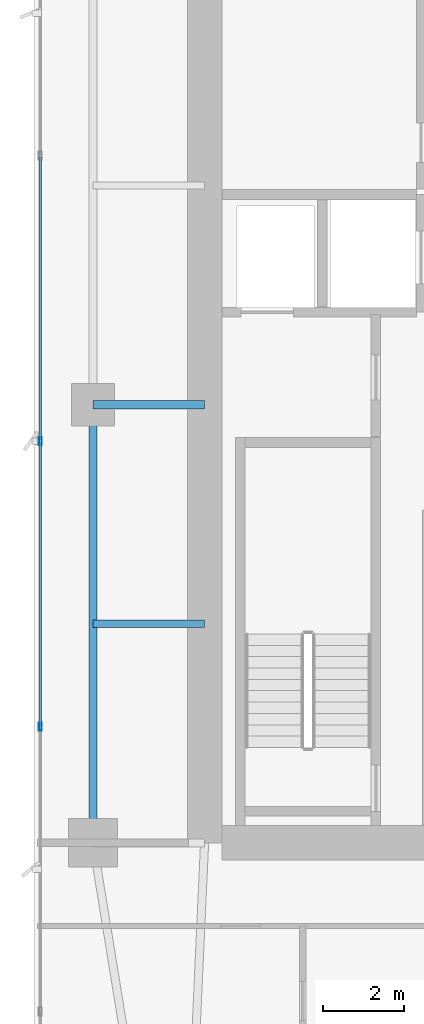
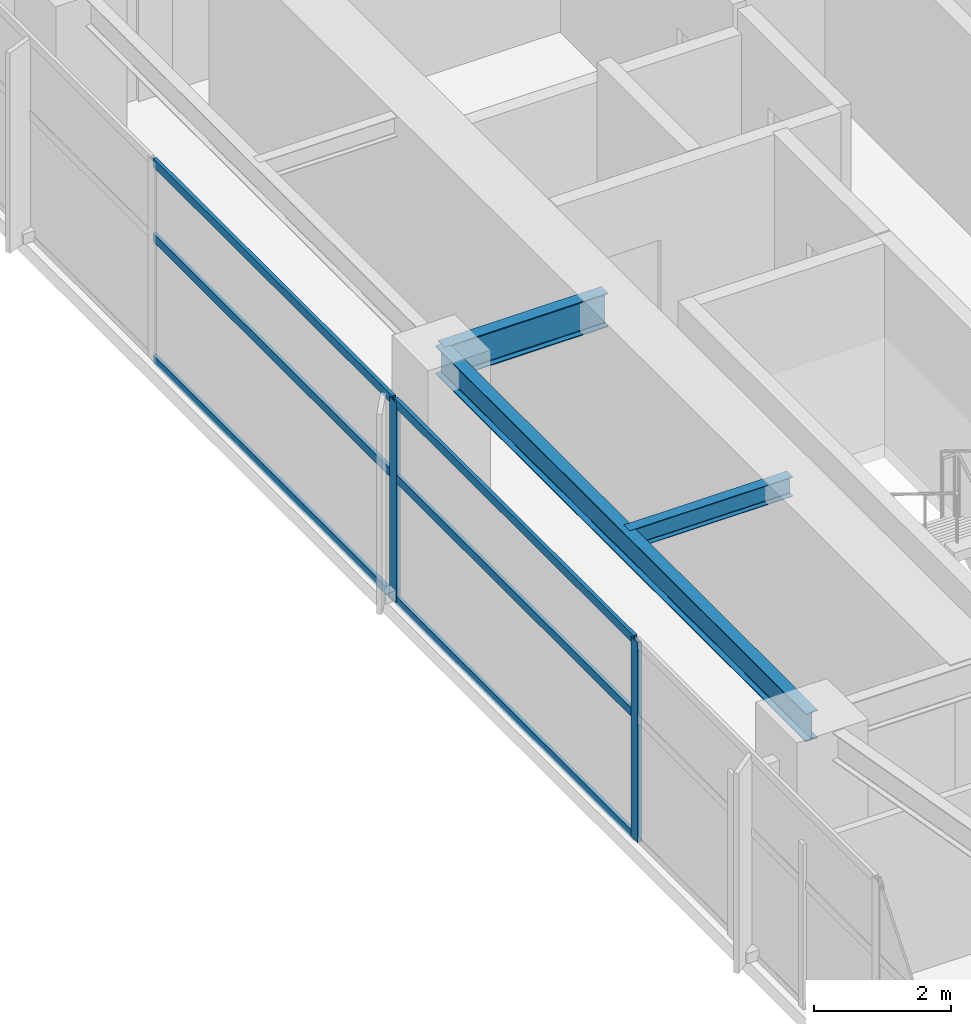
# One storey, part 8 of 29: 8 members, 3 beams, 1 element without a shape of its own.
"""IFC4 building model written with IfcOpenShell, lengths in metres."""

from ifc_helpers import new_model, si_unit, direction, frame, origin, origin_2d, place, context, subcontext, project, spatial, hollow_rectangle, i_section, extrude, material, layer, layer_set, material_profile, profile_set, type_object, element, aggregate, save


model = new_model("IFC4")

# Units and contexts
model_context = context("Model", 3, precision=1e-05, world=origin(), true_north=direction((0.0, 1.0)))
body_context = subcontext(model_context, "Body", "Model", "MODEL_VIEW")
ifc_project = project(units=[si_unit("LENGTHUNIT", "METRE"), si_unit("AREAUNIT", "SQUARE_METRE"), si_unit("VOLUMEUNIT", "CUBIC_METRE"), si_unit("PLANEANGLEUNIT", "RADIAN"), si_unit("MASSUNIT", "GRAM", prefix="KILO")], contexts=[model_context])

# Site, building, storey
site_placement = place(None, origin())
site = spatial("IfcSite", under=ifc_project, at=site_placement, CompositionType="ELEMENT")
building_placement = place(site_placement, origin())
building = spatial("IfcBuilding", under=site, at=building_placement, Name="Calvorn Quay Hotel", CompositionType="ELEMENT")
storey_placement = place(building_placement, frame((0.0, 0.0, 148.5)))
storey = spatial("IfcBuildingStorey", under=building, at=storey_placement, Name="L36", CompositionType="ELEMENT", Elevation=148.5)

# Beams
ifc_material_1 = material(Name="Steel Q355B", Category="steel")
ifc_material_profile_1 = material_profile(ifc_material_1, i_section(OverallWidth=0.199951171875, OverallDepth=0.60009765625, WebThickness=0.010986328125, FlangeThickness=0.01708984375, FilletRadius=0.01806640625, at=origin_2d()), Name="HN600x200x11x17")
ifc_profile_set_1 = profile_set([ifc_material_profile_1], Name="Steel Q355B")
beam_type_1 = type_object("IfcBeamType", Name="BM-GIRD-TYP", PredefinedType="BEAM", material=ifc_profile_set_1)
beam_1_placement = place(storey_placement, frame((1.449951171875, 27.60009765625, 3.239990234375), z_axis=(1.0, 0.0, 0.0), x_axis=(0.0, 1.0, 0.0)))
element("IfcBeam", 1, at=beam_1_placement, inside=storey, type_object=beam_type_1, Name="Beam BG-L36-W2", PredefinedType="BEAM", context=body_context, shape_type="SweptSolid", body=[
    extrude(i_section(OverallWidth=0.199951171875, OverallDepth=0.60009765625, WebThickness=0.010986328125, FlangeThickness=0.01708984375, FilletRadius=0.01806640625, at=origin_2d()), origin(), (0.0, 0.0, 1.0), 2.75),
])
ifc_material_2 = material(Name="Steel Q355B", Category="steel")
ifc_material_profile_2 = material_profile(ifc_material_2, i_section(OverallWidth=0.175048828125, OverallDepth=0.35009765625, WebThickness=0.007080078125, FlangeThickness=0.010986328125, FilletRadius=0.013916015625, at=origin_2d()), Name="HN350x175x7x11")
ifc_profile_set_2 = profile_set([ifc_material_profile_2], Name="Steel Q355B")
beam_type_2 = type_object("IfcBeamType", Name="BM-JOIST-SEC", PredefinedType="JOIST", material=ifc_profile_set_2)
beam_2_placement = place(storey_placement, frame((1.449951171875, 22.199951171875, 3.364990234375), z_axis=(1.0, 0.0, 0.0), x_axis=(0.0, 1.0, 0.0)))
element("IfcBeam", 2, at=beam_2_placement, inside=storey, type_object=beam_type_2, Name="Beam BJ-L36-W3", PredefinedType="JOIST", context=body_context, shape_type="SweptSolid", body=[
    extrude(i_section(OverallWidth=0.175048828125, OverallDepth=0.35009765625, WebThickness=0.007080078125, FlangeThickness=0.010986328125, FilletRadius=0.013916015625, at=origin_2d()), origin(), (0.0, 0.0, 1.0), 2.75),
])
ifc_material_3 = material(Name="Steel Q355B", Category="steel")
ifc_material_profile_3 = material_profile(ifc_material_3, i_section(OverallWidth=0.199951171875, OverallDepth=0.5, WebThickness=0.010009765625, FlangeThickness=0.01611328125, FilletRadius=0.01611328125, at=origin_2d()), Name="HN500x200x10x16")
ifc_profile_set_3 = profile_set([ifc_material_profile_3], Name="Steel Q355B")
beam_type_3 = type_object("IfcBeamType", Name="BM-SPANDREL-Z1", PredefinedType="SPANDREL", material=ifc_profile_set_3)
beam_3_placement = place(storey_placement, frame((1.449951171875, 16.800048828125, 3.2900390625), z_axis=(0.0, 1.0, 0.0), x_axis=(-1.0, 0.0, 0.0)))
element("IfcBeam", 3, at=beam_3_placement, inside=storey, type_object=beam_type_3, Name="Beam BSP-L36-W2", PredefinedType="SPANDREL", context=body_context, shape_type="SweptSolid", body=[
    extrude(i_section(OverallWidth=0.199951171875, OverallDepth=0.5, WebThickness=0.010009765625, FlangeThickness=0.01611328125, FilletRadius=0.01611328125, at=origin_2d()), origin(), (0.0, 0.0, 1.0), 10.800048828125),
])

# Curtain wall, members
ifc_material_4 = material(Name="Pale Anodised Aluminium and Low-E Glass", Category="aluminium")
ifc_layer = layer(ifc_material_4, 0.219970703125)
ifc_layer_set = layer_set([ifc_layer], Name="CW-SYS-Z2")
curtain_wall_type = type_object("IfcCurtainWallType", Name="CW-SYS-Z2", PredefinedType="NOTDEFINED", material=ifc_layer_set)
curtain_wall_placement = place(storey_placement, origin())
curtain_wall = element("IfcCurtainWall", 4, at=curtain_wall_placement, inside=storey, type_object=curtain_wall_type, Name="Tower West Curtain Wall (L36)", PredefinedType="NOTDEFINED")
ifc_material_5 = material(Name="Pale Anodised Aluminium 6063-T6", Category="aluminium")
ifc_material_profile_4 = material_profile(ifc_material_5, hollow_rectangle(XDim=0.070068359375, YDim=0.199951171875, WallThickness=0.00390625, at=origin_2d()), Name="ALU-M200x70x4")
ifc_profile_set_4 = profile_set([ifc_material_profile_4], Name="Pale Anodised Aluminium 6063-T6")
member_type_1 = type_object("IfcMemberType", Name="CW-SYS-Z2-MUL", PredefinedType="MULLION", material=ifc_profile_set_4)
member_1_placement = place(storey_placement, frame((0.14990234375, 19.666748046875, 0.0), z_axis=(0.0, 0.0, 1.0), x_axis=(-1.0, 0.0, 0.0)))
member_1 = element("IfcMember", 5, at=member_1_placement, type_object=member_type_1, Name="CW-L36-W mullion 3", PredefinedType="MULLION", context=body_context, shape_type="SweptSolid", body=[
    extrude(hollow_rectangle(XDim=0.070068359375, YDim=0.199951171875, WallThickness=0.00390625, at=origin_2d()), origin(), (0.0, 0.0, 1.0), 3.56005859375),
])
member_2_placement = place(storey_placement, frame((0.14990234375, 26.699951171875, 0.0), z_axis=(0.0, 0.0, 1.0), x_axis=(-1.0, 0.0, 0.0)))
member_2 = element("IfcMember", 6, at=member_2_placement, type_object=member_type_1, Name="CW-L36-W mullion 4", PredefinedType="MULLION", context=body_context, shape_type="SweptSolid", body=[
    extrude(hollow_rectangle(XDim=0.070068359375, YDim=0.199951171875, WallThickness=0.00390625, at=origin_2d()), origin(), (0.0, 0.0, 1.0), 3.56005859375),
])
ifc_material_6 = material(Name="Pale Anodised Aluminium 6063-T6", Category="aluminium")
ifc_material_profile_5 = material_profile(ifc_material_6, hollow_rectangle(XDim=0.06005859375, YDim=0.14990234375, WallThickness=0.00341796875, at=origin_2d()), Name="ALU-T150x60x3.5")
ifc_profile_set_5 = profile_set([ifc_material_profile_5], Name="Pale Anodised Aluminium 6063-T6")
member_type_2 = type_object("IfcMemberType", Name="CW-SYS-Z2-TRN", PredefinedType="USERDEFINED", material=ifc_profile_set_5)
member_3_placement = place(storey_placement, frame((0.14990234375, 19.69677734375, 0.030029296875), z_axis=(0.0, 1.0, 0.0), x_axis=(-1.0, 0.0, 0.0)))
member_3 = element("IfcMember", 7, at=member_3_placement, type_object=member_type_2, Name="CW-L36-W transom 3.1", ObjectType="TRANSOM", PredefinedType="USERDEFINED", context=body_context, shape_type="SweptSolid", body=[
    extrude(hollow_rectangle(XDim=0.06005859375, YDim=0.14990234375, WallThickness=0.00341796875, at=origin_2d()), origin(), (0.0, 0.0, 1.0), 6.97314453125),
])
member_4_placement = place(storey_placement, frame((0.14990234375, 19.69677734375, 2.199951171875), z_axis=(0.0, 1.0, 0.0), x_axis=(-1.0, 0.0, 0.0)))
member_4 = element("IfcMember", 8, at=member_4_placement, type_object=member_type_2, Name="CW-L36-W transom 3.2", ObjectType="TRANSOM", PredefinedType="USERDEFINED", context=body_context, shape_type="SweptSolid", body=[
    extrude(hollow_rectangle(XDim=0.06005859375, YDim=0.14990234375, WallThickness=0.00341796875, at=origin_2d()), origin(), (0.0, 0.0, 1.0), 6.97314453125),
])
member_5_placement = place(storey_placement, frame((0.14990234375, 19.69677734375, 3.530029296875), z_axis=(0.0, 1.0, 0.0), x_axis=(-1.0, 0.0, 0.0)))
member_5 = element("IfcMember", 9, at=member_5_placement, type_object=member_type_2, Name="CW-L36-W transom 3.3", ObjectType="TRANSOM", PredefinedType="USERDEFINED", context=body_context, shape_type="SweptSolid", body=[
    extrude(hollow_rectangle(XDim=0.06005859375, YDim=0.14990234375, WallThickness=0.00341796875, at=origin_2d()), origin(), (0.0, 0.0, 1.0), 6.97314453125),
])
member_6_placement = place(storey_placement, frame((0.14990234375, 26.72998046875, 0.030029296875), z_axis=(0.0, 1.0, 0.0), x_axis=(-1.0, 0.0, 0.0)))
member_6 = element("IfcMember", 10, at=member_6_placement, type_object=member_type_2, Name="CW-L36-W transom 4.1", ObjectType="TRANSOM", PredefinedType="USERDEFINED", context=body_context, shape_type="SweptSolid", body=[
    extrude(hollow_rectangle(XDim=0.06005859375, YDim=0.14990234375, WallThickness=0.00341796875, at=origin_2d()), origin(), (0.0, 0.0, 1.0), 6.973388671875),
])
member_7_placement = place(storey_placement, frame((0.14990234375, 26.72998046875, 2.199951171875), z_axis=(0.0, 1.0, 0.0), x_axis=(-1.0, 0.0, 0.0)))
member_7 = element("IfcMember", 11, at=member_7_placement, type_object=member_type_2, Name="CW-L36-W transom 4.2", ObjectType="TRANSOM", PredefinedType="USERDEFINED", context=body_context, shape_type="SweptSolid", body=[
    extrude(hollow_rectangle(XDim=0.06005859375, YDim=0.14990234375, WallThickness=0.00341796875, at=origin_2d()), origin(), (0.0, 0.0, 1.0), 6.973388671875),
])
member_8_placement = place(storey_placement, frame((0.14990234375, 26.72998046875, 3.530029296875), z_axis=(0.0, 1.0, 0.0), x_axis=(-1.0, 0.0, 0.0)))
member_8 = element("IfcMember", 12, at=member_8_placement, type_object=member_type_2, Name="CW-L36-W transom 4.3", ObjectType="TRANSOM", PredefinedType="USERDEFINED", context=body_context, shape_type="SweptSolid", body=[
    extrude(hollow_rectangle(XDim=0.06005859375, YDim=0.14990234375, WallThickness=0.00341796875, at=origin_2d()), origin(), (0.0, 0.0, 1.0), 6.973388671875),
])
aggregate(curtain_wall, [member_1, member_2, member_3, member_4, member_5, member_6, member_7, member_8])

save(model, "model.ifc")
